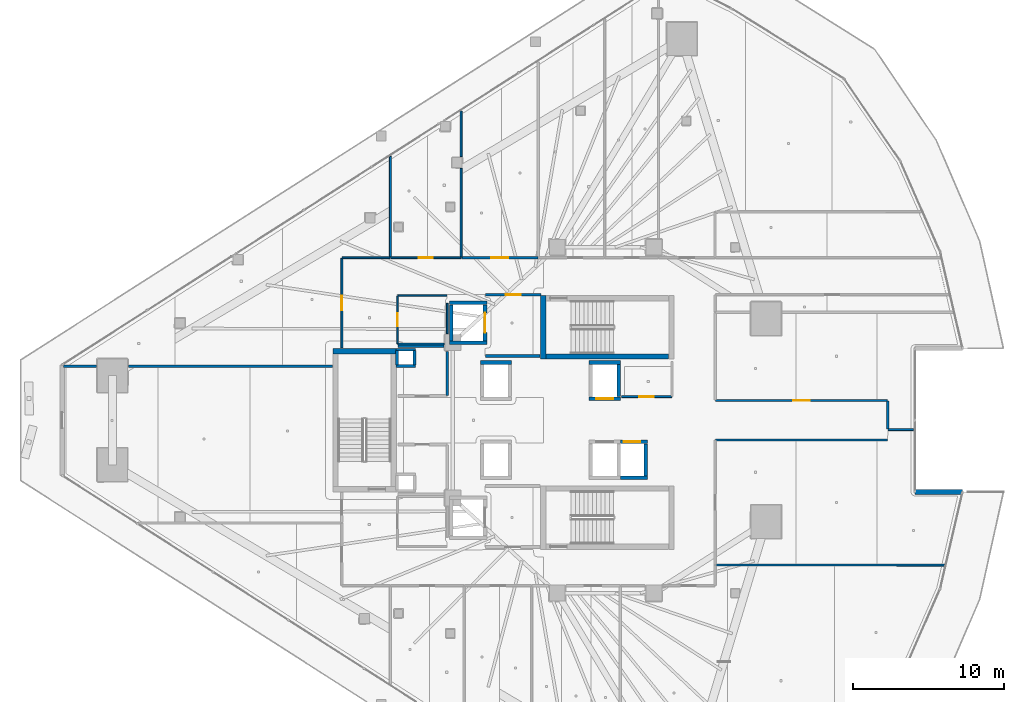
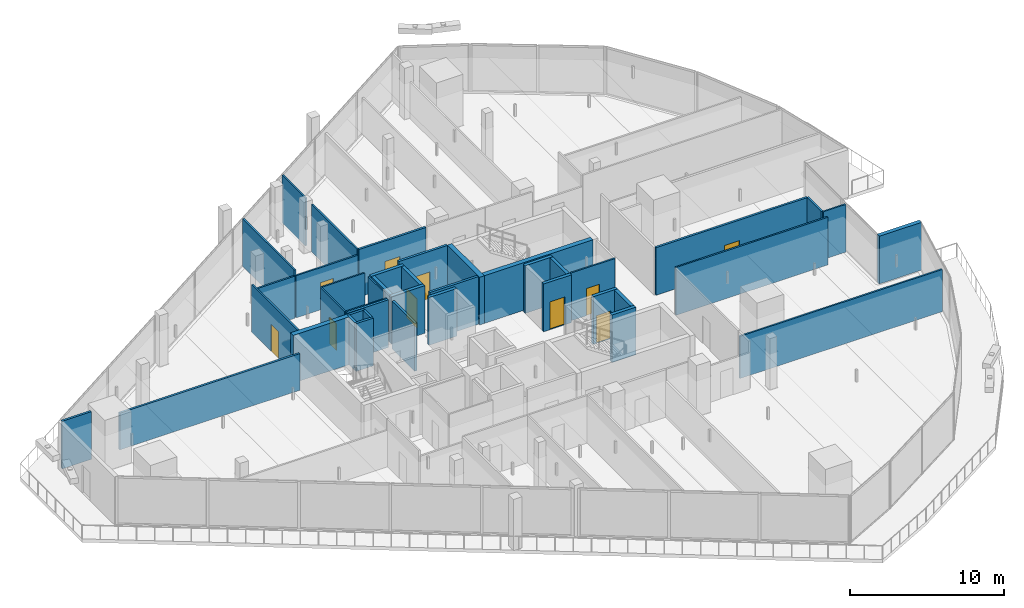
# One storey, part 27 of 39: 42 walls, 10 doors, 10 openings.
"""IFC4 building model written with IfcOpenShell, lengths in metres."""

from ifc_helpers import new_model, si_unit, direction, frame, frame_2d, origin, place, context, subcontext, project, spatial, rectangle, extrude, material, layer, layer_set, type_object, element, fill, save


model = new_model("IFC4")

# Units and contexts
model_context = context("Model", 3, precision=1e-05, world=origin(), true_north=direction((0.0, 1.0)))
body_context = subcontext(model_context, "Body", "Model", "MODEL_VIEW")
ifc_project = project(units=[si_unit("LENGTHUNIT", "METRE"), si_unit("AREAUNIT", "SQUARE_METRE"), si_unit("VOLUMEUNIT", "CUBIC_METRE"), si_unit("PLANEANGLEUNIT", "RADIAN"), si_unit("MASSUNIT", "GRAM", prefix="KILO")], contexts=[model_context])

# Site, building, storey
site_placement = place(None, origin())
site = spatial("IfcSite", under=ifc_project, at=site_placement, CompositionType="ELEMENT")
building_placement = place(site_placement, origin())
building = spatial("IfcBuilding", under=site, at=building_placement, Name="Qorvath Tower", CompositionType="ELEMENT")
storey_placement = place(building_placement, frame((0.0, 0.0, 162.449951171875)))
storey = spatial("IfcBuildingStorey", under=building, at=storey_placement, Name="L37", CompositionType="ELEMENT", Elevation=162.449951171875)

# Walls
ifc_material_1 = material(Name="Gypsum shaftliner on steel studs", Category="steel")
ifc_layer_1 = layer(ifc_material_1, 0.179931640625)
ifc_layer_set_1 = layer_set([ifc_layer_1], Name="FW-LOBBY")
wall_type_1 = type_object("IfcWallType", Name="FW-LOBBY", PredefinedType="PARTITIONING", material=ifc_layer_set_1)
for number, where, z_axis, x_axis, name in (
    (1, (-32.989990234375, 3.594970703125, 0.0), (0.0, 0.0, 1.0), (-1.0, 0.0, 0.0), "MEP Riser Shaft Enclosure Wall N-L37-S"),
    (2, (-34.260009765625, 4.675048828125, 0.0), (0.0, 0.0, 1.0), (1.0, 0.0, 0.0), "MEP Riser Shaft Enclosure Wall N-L37-N"),
):
    element("IfcWall", number, at=place(storey_placement, frame(where, z_axis=z_axis, x_axis=x_axis)), inside=storey, type_object=wall_type_1, Name=name, PredefinedType="PARTITIONING", context=body_context, shape_type="SweptSolid", body=[
        extrude(rectangle(XDim=1.27001953125, YDim=0.179931640625, at=frame_2d((0.635009765625, 0.0))), origin(), (0.0, 0.0, 1.0), 3.780029296875),
    ])
for number, where, z_axis, x_axis, name in (
    (3, (-34.205078125, 3.659912109375, 0.0), (0.0, 0.0, 1.0), (0.0, 1.0, 0.0), "MEP Riser Shaft Enclosure Wall N-L37-W"),
    (4, (-33.044921875, 4.610107421875, 0.0), (0.0, 0.0, 1.0), (0.0, -1.0, 0.0), "MEP Riser Shaft Enclosure Wall N-L37-E"),
):
    element("IfcWall", number, at=place(storey_placement, frame(where, z_axis=z_axis, x_axis=x_axis)), inside=storey, type_object=wall_type_1, Name=name, PredefinedType="PARTITIONING", context=body_context, shape_type="SweptSolid", body=[
        extrude(rectangle(XDim=0.9501953125, YDim=0.179931640625, at=frame_2d((0.47509765625, 0.0))), origin(), (0.0, 0.0, 1.0), 3.780029296875),
    ])
wall_1_placement = place(storey_placement, frame((-28.35498046875, 4.25, 0.0), z_axis=(0.0, 0.0, 1.0), x_axis=(1.0, 0.0, 0.0)))
element("IfcWall", 5, at=wall_1_placement, inside=storey, type_object=wall_type_1, Name="Interior Partition IW-T1-L37-001", PredefinedType="PARTITIONING", context=body_context, shape_type="SweptSolid", body=[
    extrude(rectangle(XDim=3.6220703125, YDim=0.179931640625, at=frame_2d((1.81103515625, 0.0))), origin(), (0.0, 0.0, 1.0), 3.780029296875),
])

# Wall, opening, door
wall_2_placement = place(storey_placement, frame((-24.68408203125, 8.300048828125, 0.0), z_axis=(0.0, 0.0, 1.0), x_axis=(-1.0, 0.0, 0.0)))
wall_2 = element("IfcWall", 6, at=wall_2_placement, inside=storey, type_object=wall_type_1, Name="Interior Partition IW-T1-L37-002", PredefinedType="PARTITIONING", context=body_context, shape_type="SweptSolid", body=[
    extrude(rectangle(XDim=3.6708984375, YDim=0.179931640625, at=frame_2d((1.83544921875, 0.0))), origin(), (0.0, 0.0, 1.0), 3.780029296875),
])
opening_1_placement = place(wall_2_placement, frame((1.33544921875, 0.0, 0.0)))
opening_1 = element("IfcOpeningElement", 7, at=opening_1_placement, cuts=wall_2, Name="Opening D-T1-L37-21", PredefinedType="OPENING", context=body_context, shape_type="SweptSolid", body=[
    extrude(rectangle(XDim=1.0, YDim=2.14990234375, at=frame_2d((0.5, 1.074951171875))), frame((0.0, 0.10009765625, 0.0), z_axis=(0.0, -1.0, 0.0), x_axis=(1.0, 0.0, 0.0)), (0.0, 0.0, 1.0), 0.199951171875),
])
ifc_material_2 = material(Name="Painted galvanised hollow metal", Category="steel")
door_type_1 = type_object("IfcDoorType", Name="FD-60", OperationType="NOTDEFINED", PredefinedType="DOOR", material=ifc_material_2)
door_1_placement = place(opening_1_placement, origin())
door_1 = element("IfcDoor", 8, at=door_1_placement, inside=storey, type_object=door_type_1, Name="Lobby Fire Service Elevator North Door D-T1-L37-21", OperationType="SINGLE_SWING_RIGHT", OverallHeight=2.14990234375, OverallWidth=1.0, PredefinedType="DOOR", context=body_context, shape_type="SweptSolid", body=[
    extrude(rectangle(XDim=1.0, YDim=2.14990234375, at=frame_2d((0.5, 1.074951171875))), frame((0.0, 0.02490234375, 0.0), z_axis=(0.0, -1.0, 0.0), x_axis=(1.0, 0.0, 0.0)), (0.0, 0.0, 1.0), 0.050048828125),
])
fill(opening_1, door_1)

# Walls
wall_3_placement = place(storey_placement, frame((-30.8798828125, 1.625, 0.0), z_axis=(0.0, 0.0, 1.0), x_axis=(0.0, 1.0, 0.0)))
element("IfcWall", 9, at=wall_3_placement, inside=storey, type_object=wall_type_1, Name="Interior Partition IW-T1-L37-016", PredefinedType="PARTITIONING", context=body_context, shape_type="SweptSolid", body=[
    extrude(rectangle(XDim=2.93505859375, YDim=0.179931640625, at=frame_2d((1.467529296875, 0.0))), origin(), (0.0, 0.0, 1.0), 3.780029296875),
])
wall_4_placement = place(storey_placement, frame((-31.090087890625, 4.89990234375, 0.0), z_axis=(0.0, 0.0, 1.0), x_axis=(-1.0, 0.0, 0.0)))
element("IfcWall", 10, at=wall_4_placement, inside=storey, type_object=wall_type_1, Name="Interior Partition IW-T1-L37-017", PredefinedType="PARTITIONING", context=body_context, shape_type="SweptSolid", body=[
    extrude(rectangle(XDim=3.064697265625, YDim=0.179931640625, at=frame_2d((1.5322265625, 0.0))), origin(), (0.0, 0.0, 1.0), 3.780029296875),
])

# Wall, opening, door
ifc_material_3 = material(Name="Double acoustic gypsum board on steel studs", Category="steel")
ifc_layer_2 = layer(ifc_material_3, 0.159912109375)
ifc_layer_set_2 = layer_set([ifc_layer_2], Name="IW-ACOUSTIC-160")
wall_type_2 = type_object("IfcWallType", Name="IW-ACOUSTIC-160", PredefinedType="PARTITIONING", material=ifc_layer_set_2)
wall_5_placement = place(storey_placement, frame((-29.92529296875, 10.758056640625, 0.0), z_axis=(0.0, 0.0, 1.0), x_axis=(1.0, 0.0, 0.0)))
wall_5 = element("IfcWall", 11, at=wall_5_placement, inside=storey, type_object=wall_type_2, Name="Interior Partition IW-T1-L37-025", PredefinedType="PARTITIONING", context=body_context, shape_type="SweptSolid", body=[
    extrude(rectangle(XDim=5.044677734375, YDim=0.159912109375, at=frame_2d((2.5224609375, 0.0))), origin(), (0.0, 0.0, 1.0), 3.780029296875),
])
opening_2_placement = place(wall_5_placement, frame((1.972412109375, 0.0, 0.0)))
opening_2 = element("IfcOpeningElement", 12, at=opening_2_placement, cuts=wall_5, Name="Opening D-T1-L37-07", PredefinedType="OPENING", context=body_context, shape_type="SweptSolid", body=[
    extrude(rectangle(XDim=1.10009765625, YDim=2.14990234375, at=frame_2d((0.550048828125, 1.074951171875))), frame((0.0, 0.08984375, 0.0), z_axis=(0.0, -1.0, 0.0), x_axis=(1.0, 0.0, 0.0)), (0.0, 0.0, 1.0), 0.179931640625),
])
ifc_material_4 = material(Name="Anodised aluminium acoustic framed glass", Category="aluminium")
door_type_2 = type_object("IfcDoorType", Name="D-03", OperationType="NOTDEFINED", PredefinedType="DOOR", material=ifc_material_4)
door_2_placement = place(opening_2_placement, origin())
door_2 = element("IfcDoor", 13, at=door_2_placement, inside=storey, type_object=door_type_2, Name="L37-02 Client Services Office Door D-T1-L37-07", OperationType="SINGLE_SWING_RIGHT", OverallHeight=2.14990234375, OverallWidth=1.10009765625, PredefinedType="DOOR", context=body_context, shape_type="SweptSolid", body=[
    extrude(rectangle(XDim=1.10009765625, YDim=2.14990234375, at=frame_2d((0.550048828125, 1.074951171875))), frame((0.0, 0.02490234375, 0.0), z_axis=(0.0, -1.0, 0.0), x_axis=(1.0, 0.0, 0.0)), (0.0, 0.0, 1.0), 0.050048828125),
])
fill(opening_2, door_2)

wall_6_placement = place(storey_placement, frame((-13.1171875, 1.30810546875, 0.0), z_axis=(0.0, 0.0, 1.0), x_axis=(1.0, 0.0, 0.0)))
wall_6 = element("IfcWall", 14, at=wall_6_placement, inside=storey, type_object=wall_type_2, Name="Interior Partition IW-T1-L37-053", PredefinedType="PARTITIONING", context=body_context, shape_type="SweptSolid", body=[
    extrude(rectangle(XDim=11.378173828125, YDim=0.159912109375, at=frame_2d((5.68896484375, 0.0))), origin(), (0.0, 0.0, 1.0), 3.780029296875),
])
opening_3_placement = place(wall_6_placement, frame((5.13916015625, 0.0, 0.0)))
opening_3 = element("IfcOpeningElement", 15, at=opening_3_placement, cuts=wall_6, Name="Opening D-T1-L37-16", PredefinedType="OPENING", context=body_context, shape_type="SweptSolid", body=[
    extrude(rectangle(XDim=1.10009765625, YDim=2.14990234375, at=frame_2d((0.550048828125, 1.074951171875))), frame((0.0, 0.08984375, 0.0), z_axis=(0.0, -1.0, 0.0), x_axis=(1.0, 0.0, 0.0)), (0.0, 0.0, 1.0), 0.179931640625),
])
door_3_placement = place(opening_3_placement, origin())
door_3 = element("IfcDoor", 16, at=door_3_placement, inside=storey, type_object=door_type_2, Name="L37-11 Enclosed Conference Suite Door D-T1-L37-16", OperationType="SINGLE_SWING_LEFT", OverallHeight=2.14990234375, OverallWidth=1.10009765625, PredefinedType="DOOR", context=body_context, shape_type="SweptSolid", body=[
    extrude(rectangle(XDim=1.10009765625, YDim=2.14990234375, at=frame_2d((0.550048828125, 1.074951171875))), frame((0.0, 0.02490234375, 0.0), z_axis=(0.0, -1.0, 0.0), x_axis=(1.0, 0.0, 0.0)), (0.0, 0.0, 1.0), 0.050048828125),
])
fill(opening_3, door_3)

# Walls
wall_7_placement = place(storey_placement, frame((-1.714111328125, -0.591796875, 0.0), z_axis=(0.0, 0.0, 1.0), x_axis=(0.0, 1.0, 0.0)))
element("IfcWall", 17, at=wall_7_placement, inside=storey, type_object=wall_type_2, Name="Interior Partition IW-T1-L37-054", PredefinedType="PARTITIONING", context=body_context, shape_type="SweptSolid", body=[
    extrude(rectangle(XDim=1.875, YDim=0.159912109375, at=frame_2d((0.9375, 0.0))), origin(), (0.0, 0.0, 1.0), 3.780029296875),
])
wall_8_placement = place(storey_placement, frame((-38.492919921875, 3.567626953125, 0.0), z_axis=(0.0, 0.0, 1.0), x_axis=(-1.0, 0.0, 0.0)))
element("IfcWall", 18, at=wall_8_placement, inside=storey, type_object=wall_type_2, Name="Interior Partition IW-T1-L37-062", PredefinedType="PARTITIONING", context=body_context, shape_type="SweptSolid", body=[
    extrude(rectangle(XDim=13.491455078125, YDim=0.159912109375, at=frame_2d((6.74560546875, 0.0))), origin(), (0.0, 0.0, 1.0), 2.89990234375),
])
wall_9_placement = place(storey_placement, frame((-54.114501953125, 3.567626953125, 0.0), z_axis=(0.0, 0.0, 1.0), x_axis=(-1.0, 0.0, 0.0)))
element("IfcWall", 19, at=wall_9_placement, inside=storey, type_object=wall_type_2, Name="Interior Partition IW-T1-L37-063", PredefinedType="PARTITIONING", context=body_context, shape_type="SweptSolid", body=[
    extrude(rectangle(XDim=2.18798828125, YDim=0.159912109375, at=frame_2d((1.093994140625, 0.0))), origin(), (0.0, 0.0, 1.0), 3.780029296875),
])

# Wall, opening, door
ifc_material_5 = material(Name="Gypsum board on metal studs with mineral wool", Category="gypsum")
ifc_layer_3 = layer(ifc_material_5, 0.125)
ifc_layer_set_3 = layer_set([ifc_layer_3], Name="IW-PART-125")
wall_type_3 = type_object("IfcWallType", Name="IW-PART-125", PredefinedType="PARTITIONING", material=ifc_layer_set_3)
wall_10_placement = place(storey_placement, frame((-19.333740234375, 1.56005859375, 0.0), z_axis=(0.0, 0.0, 1.0), x_axis=(1.0, 0.0, 0.0)))
wall_10 = element("IfcWall", 20, at=wall_10_placement, inside=storey, type_object=wall_type_3, Name="Interior Partition IW-T1-L37-013", PredefinedType="PARTITIONING", context=body_context, shape_type="SweptSolid", body=[
    extrude(rectangle(XDim=3.308837890625, YDim=0.125, at=frame_2d((1.654296875, 0.0))), origin(), (0.0, 0.0, 1.0), 3.780029296875),
])
opening_4_placement = place(wall_10_placement, frame((1.179443359375, 0.0, 0.0)))
opening_4 = element("IfcOpeningElement", 21, at=opening_4_placement, cuts=wall_10, Name="Opening D-T1-L37-03", PredefinedType="OPENING", context=body_context, shape_type="SweptSolid", body=[
    extrude(rectangle(XDim=0.949951171875, YDim=2.14990234375, at=frame_2d((0.47509765625, 1.074951171875))), frame((0.0, 0.072509765625, 0.0), z_axis=(0.0, -1.0, 0.0), x_axis=(1.0, 0.0, 0.0)), (0.0, 0.0, 1.0), 0.14501953125),
])
ifc_material_6 = material(Name="Solid-core American white oak veneer", Category="wood")
door_type_3 = type_object("IfcDoorType", Name="D-01", OperationType="NOTDEFINED", PredefinedType="DOOR", material=ifc_material_6)
door_4_placement = place(opening_4_placement, origin())
door_4 = element("IfcDoor", 22, at=door_4_placement, inside=storey, type_object=door_type_3, Name="L37-RCN North Staff Refreshment Pantry Door D-T1-L37-03", OperationType="SINGLE_SWING_RIGHT", OverallHeight=2.14990234375, OverallWidth=0.949951171875, PredefinedType="DOOR", context=body_context, shape_type="SweptSolid", body=[
    extrude(rectangle(XDim=0.949951171875, YDim=2.14990234375, at=frame_2d((0.47509765625, 1.074951171875))), frame((0.0, 0.02490234375, 0.0), z_axis=(0.0, -1.0, 0.0), x_axis=(1.0, 0.0, 0.0)), (0.0, 0.0, 1.0), 0.050048828125),
])
fill(opening_4, door_4)

# Wall
wall_11_placement = place(storey_placement, frame((-34.64990234375, 17.476806640625, 0.0), z_axis=(0.0, 0.0, 1.0), x_axis=(0.0, -1.0, 0.0)))
element("IfcWall", 23, at=wall_11_placement, inside=storey, type_object=wall_type_3, Name="Interior Partition IW-T1-L37-021", PredefinedType="PARTITIONING", context=body_context, shape_type="SweptSolid", body=[
    extrude(rectangle(XDim=6.693603515625, YDim=0.125, at=frame_2d((3.3466796875, 0.0))), origin(), (0.0, 0.0, 1.0), 3.780029296875),
])

# Wall, opening, door
wall_12_placement = place(storey_placement, frame((-34.625, 10.758056640625, 0.0), z_axis=(0.0, 0.0, 1.0), x_axis=(1.0, 0.0, 0.0)))
wall_12 = element("IfcWall", 24, at=wall_12_placement, inside=storey, type_object=wall_type_3, Name="Interior Partition IW-T1-L37-022", PredefinedType="PARTITIONING", context=body_context, shape_type="SweptSolid", body=[
    extrude(rectangle(XDim=4.6416015625, YDim=0.125, at=frame_2d((2.32080078125, 0.0))), origin(), (0.0, 0.0, 1.0), 3.34423828125),
])
opening_5_placement = place(wall_12_placement, frame((1.845703125, 0.0, 0.0)))
opening_5 = element("IfcOpeningElement", 25, at=opening_5_placement, cuts=wall_12, Name="Opening D-T1-L37-06", PredefinedType="OPENING", context=body_context, shape_type="SweptSolid", body=[
    extrude(rectangle(XDim=0.949951171875, YDim=2.14990234375, at=frame_2d((0.47509765625, 1.074951171875))), frame((0.0, 0.072509765625, 0.0), z_axis=(0.0, -1.0, 0.0), x_axis=(1.0, 0.0, 0.0)), (0.0, 0.0, 1.0), 0.14501953125),
])
door_5_placement = place(opening_5_placement, origin())
door_5 = element("IfcDoor", 26, at=door_5_placement, inside=storey, type_object=door_type_3, Name="L37-01 Staff Refreshment Pantry and Coffee Bar Door D-T1-L37-06", OperationType="SINGLE_SWING_LEFT", OverallHeight=2.14990234375, OverallWidth=0.949951171875, PredefinedType="DOOR", context=body_context, shape_type="SweptSolid", body=[
    extrude(rectangle(XDim=0.949951171875, YDim=2.14990234375, at=frame_2d((0.47509765625, 1.074951171875))), frame((0.0, 0.02490234375, 0.0), z_axis=(0.0, -1.0, 0.0), x_axis=(1.0, 0.0, 0.0)), (0.0, 0.0, 1.0), 0.050048828125),
])
fill(opening_5, door_5)

# Walls
wall_13_placement = place(storey_placement, frame((-29.958251953125, 10.783203125, 0.0), z_axis=(0.0, 0.0, 1.0), x_axis=(0.0, 1.0, 0.0)))
element("IfcWall", 27, at=wall_13_placement, inside=storey, type_object=wall_type_3, Name="Interior Partition IW-T1-L37-023", PredefinedType="PARTITIONING", context=body_context, shape_type="SweptSolid", body=[
    extrude(rectangle(XDim=5.886474609375, YDim=0.125, at=frame_2d((2.943359375, 0.0))), origin(), (0.0, 0.0, 1.0), 3.780029296875),
])
wall_14_placement = place(storey_placement, frame((-29.958251953125, 17.44970703125, 0.0), z_axis=(0.0, 0.0, 1.0), x_axis=(0.0, 1.0, 0.0)))
element("IfcWall", 28, at=wall_14_placement, inside=storey, type_object=wall_type_3, Name="Interior Partition IW-T1-L37-024", PredefinedType="PARTITIONING", context=body_context, shape_type="SweptSolid", body=[
    extrude(rectangle(XDim=3.025634765625, YDim=0.125, at=frame_2d((1.5126953125, 0.0))), origin(), (0.0, 0.0, 1.0), 3.780029296875),
])
wall_15_placement = place(storey_placement, frame((2.044677734375, -9.5908203125, 0.0), z_axis=(0.0, 0.0, 1.0), x_axis=(-0.999999957996, 0.000289841058, 0.0)))
element("IfcWall", 29, at=wall_15_placement, inside=storey, type_object=wall_type_3, Name="Interior Partition IW-T1-L37-043", PredefinedType="PARTITIONING", context=body_context, shape_type="SweptSolid", body=[
    extrude(rectangle(XDim=15.161865234375, YDim=0.125, at=frame_2d((7.5810546875, 0.0))), origin(), (0.0, 0.0, 1.0), 3.34423828125),
])
wall_16_placement = place(storey_placement, frame((-0.001953125, -0.624755859375, 0.0), z_axis=(0.0, 0.0, 1.0), x_axis=(-1.0, 0.0, 0.0)))
element("IfcWall", 30, at=wall_16_placement, inside=storey, type_object=wall_type_3, Name="Interior Partition IW-T1-L37-047", PredefinedType="PARTITIONING", context=body_context, shape_type="SweptSolid", body=[
    extrude(rectangle(XDim=1.687255859375, YDim=0.125, at=frame_2d((0.84375, 0.0))), origin(), (0.0, 0.0, 1.0), 3.780029296875),
])
wall_17_placement = place(storey_placement, frame((-1.739013671875, -1.30810546875, 0.0), z_axis=(0.0, 0.0, 1.0), x_axis=(-1.0, 0.0, 0.0)))
element("IfcWall", 31, at=wall_17_placement, inside=storey, type_object=wall_type_3, Name="Interior Partition IW-T1-L37-048", PredefinedType="PARTITIONING", context=body_context, shape_type="SweptSolid", body=[
    extrude(rectangle(XDim=11.378173828125, YDim=0.125, at=frame_2d((5.68896484375, 0.0))), origin(), (0.0, 0.0, 1.0), 3.780029296875),
])

# Wall, opening, door
wall_18_placement = place(storey_placement, frame((-37.85791015625, 4.783203125, 0.0), z_axis=(0.0, 0.0, 1.0), x_axis=(0.0, 1.0, 0.0)))
wall_18 = element("IfcWall", 32, at=wall_18_placement, inside=storey, type_object=wall_type_3, Name="Interior Partition IW-T1-L37-064", PredefinedType="PARTITIONING", context=body_context, shape_type="SweptSolid", body=[
    extrude(rectangle(XDim=5.949951171875, YDim=0.125, at=frame_2d((2.97509765625, 0.0))), origin(), (0.0, 0.0, 1.0), 3.780029296875),
])
opening_6_placement = place(wall_18_placement, frame((2.5, 0.0, 0.0)))
opening_6 = element("IfcOpeningElement", 33, at=opening_6_placement, cuts=wall_18, Name="Opening D-T1-L37-20", PredefinedType="OPENING", context=body_context, shape_type="SweptSolid", body=[
    extrude(rectangle(XDim=0.949951171875, YDim=2.14990234375, at=frame_2d((0.47509765625, 1.074951171875))), frame((0.0, 0.072509765625, 0.0), z_axis=(0.0, -1.0, 0.0), x_axis=(1.0, 0.0, 0.0)), (0.0, 0.0, 1.0), 0.14501953125),
])
door_6_placement = place(opening_6_placement, origin())
door_6 = element("IfcDoor", 34, at=door_6_placement, inside=storey, type_object=door_type_3, Name="L37-15 Design Pin-Up Atelier Door D-T1-L37-20", OperationType="SINGLE_SWING_LEFT", OverallHeight=2.14990234375, OverallWidth=0.949951171875, PredefinedType="DOOR", context=body_context, shape_type="SweptSolid", body=[
    extrude(rectangle(XDim=0.949951171875, YDim=2.14990234375, at=frame_2d((0.47509765625, 1.074951171875))), frame((0.0, 0.02490234375, 0.0), z_axis=(0.0, -1.0, 0.0), x_axis=(1.0, 0.0, 0.0)), (0.0, 0.0, 1.0), 0.050048828125),
])
fill(opening_6, door_6)

# Wall
wall_19_placement = place(storey_placement, frame((-34.68310546875, 10.758056640625, 0.0), z_axis=(0.0, 0.0, 1.0), x_axis=(-1.0, 0.0, 0.0)))
element("IfcWall", 35, at=wall_19_placement, inside=storey, type_object=wall_type_3, Name="Interior Partition IW-T1-L37-065", PredefinedType="PARTITIONING", context=body_context, shape_type="SweptSolid", body=[
    extrude(rectangle(XDim=3.14990234375, YDim=0.125, at=frame_2d((1.574951171875, 0.0))), origin(), (0.0, 0.0, 1.0), 3.34423828125),
])

# Wall, opening, door
ifc_material_7 = material(Name="Moisture-resistant cement board on metal studs", Category="gypsum")
ifc_layer_4 = layer(ifc_material_7, 0.110107421875)
ifc_layer_set_4 = layer_set([ifc_layer_4], Name="IW-WC-110")
wall_type_4 = type_object("IfcWallType", Name="IW-WC-110", PredefinedType="PARTITIONING", material=ifc_layer_set_4)
wall_20_placement = place(storey_placement, frame((-34.179931640625, 8.22509765625, 0.0), z_axis=(0.0, 0.0, 1.0), x_axis=(0.0, -1.0, 0.0)))
wall_20 = element("IfcWall", 36, at=wall_20_placement, inside=storey, type_object=wall_type_4, Name="Interior Partition IW-T1-L37-005", PredefinedType="PARTITIONING", context=body_context, shape_type="SweptSolid", body=[
    extrude(rectangle(XDim=3.150146484375, YDim=0.110107421875, at=frame_2d((1.5751953125, 0.0))), origin(), (0.0, 0.0, 1.0), 3.780029296875),
])
opening_7_placement = place(wall_20_placement, frame((1.135009765625, 0.0, 0.0)))
opening_7 = element("IfcOpeningElement", 37, at=opening_7_placement, cuts=wall_20, Name="Opening D-T1-L37-01", PredefinedType="OPENING", context=body_context, shape_type="SweptSolid", body=[
    extrude(rectangle(XDim=0.8798828125, YDim=2.10009765625, at=frame_2d((0.43994140625, 1.050048828125))), frame((0.0, 0.06494140625, 0.0), z_axis=(0.0, -1.0, 0.0), x_axis=(1.0, 0.0, 0.0)), (0.0, 0.0, 1.0), 0.130126953125),
])
ifc_material_8 = material(Name="Solid-core oak with acoustic drop seal", Category="wood")
door_type_4 = type_object("IfcDoorType", Name="D-02", OperationType="NOTDEFINED", PredefinedType="DOOR", material=ifc_material_8)
door_7_placement = place(opening_7_placement, origin())
door_7 = element("IfcDoor", 38, at=door_7_placement, inside=storey, type_object=door_type_4, Name="WC All-Gender North L37 Door D-T1-L37-01", OperationType="SINGLE_SWING_RIGHT", OverallHeight=2.10009765625, OverallWidth=0.8798828125, PredefinedType="DOOR", context=body_context, shape_type="SweptSolid", body=[
    extrude(rectangle(XDim=0.8798828125, YDim=2.10009765625, at=frame_2d((0.43994140625, 1.050048828125))), frame((0.0, 0.02490234375, 0.0), z_axis=(0.0, -1.0, 0.0), x_axis=(1.0, 0.0, 0.0)), (0.0, 0.0, 1.0), 0.050048828125),
])
fill(opening_7, door_7)

# Walls
wall_21_placement = place(storey_placement, frame((-34.15478515625, 5.050048828125, 0.0), z_axis=(0.0, 0.0, 1.0), x_axis=(1.0, 0.0, 0.0)))
element("IfcWall", 39, at=wall_21_placement, inside=storey, type_object=wall_type_4, Name="Interior Partition IW-T1-L37-006", PredefinedType="PARTITIONING", context=body_context, shape_type="SweptSolid", body=[
    extrude(rectangle(XDim=3.064697265625, YDim=0.110107421875, at=frame_2d((1.5322265625, 0.0))), origin(), (0.0, 0.0, 1.0), 3.780029296875),
])
wall_22_placement = place(storey_placement, frame((-30.8798828125, 5.739990234375, 0.0), z_axis=(0.0, 0.0, 1.0), x_axis=(0.0, 1.0, 0.0)))
element("IfcWall", 40, at=wall_22_placement, inside=storey, type_object=wall_type_4, Name="Interior Partition IW-T1-L37-007", PredefinedType="PARTITIONING", context=body_context, shape_type="SweptSolid", body=[
    extrude(rectangle(XDim=2.0029296875, YDim=0.110107421875, at=frame_2d((1.00146484375, 0.0))), origin(), (0.0, 0.0, 1.0), 3.780029296875),
])
wall_23_placement = place(storey_placement, frame((-30.90478515625, 8.25, 0.0), z_axis=(0.0, 0.0, 1.0), x_axis=(-1.0, 0.0, 0.0)))
element("IfcWall", 41, at=wall_23_placement, inside=storey, type_object=wall_type_4, Name="Interior Partition IW-T1-L37-008", PredefinedType="PARTITIONING", context=body_context, shape_type="SweptSolid", body=[
    extrude(rectangle(XDim=3.25, YDim=0.110107421875, at=frame_2d((1.625, 0.0))), origin(), (0.0, 0.0, 1.0), 3.780029296875),
])
ifc_material_9 = material(Name="Concrete C60/75", Category="concrete")
ifc_layer_5 = layer(ifc_material_9, 0.260009765625)
ifc_layer_set_5 = layer_set([ifc_layer_5], Name="SW-SHAFT")
wall_type_5 = type_object("IfcWallType", Name="SW-SHAFT", PredefinedType="SHEAR", material=ifc_layer_set_5)
for number, where, z_axis, x_axis, name in (
    (42, (-28.260009765625, 5.1298828125, 0.0), (0.0, 0.0, 1.0), (-1.0, 0.0, 0.0), "Hoistway Wall FSAE-1 L37 S"),
    (43, (-30.739990234375, 7.77001953125, 0.0), (0.0, 0.0, 1.0), (1.0, 0.0, 0.0), "Hoistway Wall FSAE-1 L37 N"),
):
    element("IfcWall", number, at=place(storey_placement, frame(where, z_axis=z_axis, x_axis=x_axis)), inside=storey, type_object=wall_type_5, Name=name, PredefinedType="SHEAR", context=body_context, shape_type="SweptSolid", body=[
        extrude(rectangle(XDim=2.47998046875, YDim=0.239990234375, at=frame_2d((1.239990234375, 0.0))), origin(), (0.0, 0.0, 1.0), 3.780029296875),
    ])
wall_24_placement = place(storey_placement, frame((-30.6201171875, 5.261962890625, 0.0), z_axis=(0.0, 0.0, 1.0), x_axis=(0.0, 1.0, 0.0)))
element("IfcWall", 44, at=wall_24_placement, inside=storey, type_object=wall_type_5, Name="Hoistway Wall FSAE-1 L37 W", PredefinedType="SHEAR", context=body_context, shape_type="SweptSolid", body=[
    extrude(rectangle(XDim=2.3759765625, YDim=0.239990234375, at=frame_2d((1.18798828125, 0.0))), origin(), (0.0, 0.0, 1.0), 3.780029296875),
])

# Wall, opening, door
wall_25_placement = place(storey_placement, frame((-28.3798828125, 7.637939453125, 0.0), z_axis=(0.0, 0.0, 1.0), x_axis=(0.0, -1.0, 0.0)))
wall_25 = element("IfcWall", 45, at=wall_25_placement, inside=storey, type_object=wall_type_5, Name="Hoistway Wall FSAE-1 L37 E", PredefinedType="SHEAR", context=body_context, shape_type="SweptSolid", body=[
    extrude(rectangle(XDim=2.3759765625, YDim=0.239990234375, at=frame_2d((1.18798828125, 0.0))), origin(), (0.0, 0.0, 1.0), 3.780029296875),
])
opening_8_placement = place(wall_25_placement, frame((0.537841796875, 0.0, 0.0)))
opening_8 = element("IfcOpeningElement", 46, at=opening_8_placement, cuts=wall_25, Name="Opening LD-FSAE-1-L37", PredefinedType="OPENING", context=body_context, shape_type="SweptSolid", body=[
    extrude(rectangle(XDim=1.300048828125, YDim=2.300048828125, at=frame_2d((0.64990234375, 1.14990234375))), frame((0.0, 0.1298828125, 0.0), z_axis=(0.0, -1.0, 0.0), x_axis=(1.0, 0.0, 0.0)), (0.0, 0.0, 1.0), 0.260009765625),
])
ifc_material_10 = material(Name="Brushed stainless steel AISI 316", Category="steel")
door_type_5 = type_object("IfcDoorType", Name="LD-02", OperationType="NOTDEFINED", PredefinedType="DOOR", material=ifc_material_10)
door_8_placement = place(opening_8_placement, origin())
door_8 = element("IfcDoor", 47, at=door_8_placement, inside=storey, type_object=door_type_5, Name="Elevator Landing Sliding Door LD-FSAE-1-L37", OperationType="DOUBLE_DOOR_SLIDING", OverallHeight=2.300048828125, OverallWidth=1.300048828125, PredefinedType="DOOR", context=body_context, shape_type="SweptSolid", body=[
    extrude(rectangle(XDim=1.300048828125, YDim=2.300048828125, at=frame_2d((0.64990234375, 1.14990234375))), frame((0.0, 0.02490234375, 0.0), z_axis=(0.0, -1.0, 0.0), x_axis=(1.0, 0.0, 0.0)), (0.0, 0.0, 1.0), 0.050048828125),
])
fill(opening_8, door_8)

# Wall
wall_26_placement = place(storey_placement, frame((-28.68994140625, 3.820068359375, 0.0), z_axis=(0.0, 0.0, 1.0), x_axis=(1.0, 0.0, 0.0)))
element("IfcWall", 48, at=wall_26_placement, inside=storey, type_object=wall_type_5, Name="Hoistway Wall PS-1 L37 N", PredefinedType="SHEAR", context=body_context, shape_type="SweptSolid", body=[
    extrude(rectangle(XDim=2.079833984375, YDim=0.239990234375, at=frame_2d((1.0400390625, 0.0))), origin(), (0.0, 0.0, 1.0), 3.780029296875),
])

# Wall, opening, door
wall_27_placement = place(storey_placement, frame((-19.409912109375, 1.429931640625, 0.0), z_axis=(0.0, 0.0, 1.0), x_axis=(-1.0, 0.0, 0.0)))
wall_27 = element("IfcWall", 49, at=wall_27_placement, inside=storey, type_object=wall_type_5, Name="Hoistway Wall PM-1 L37 S", PredefinedType="SHEAR", context=body_context, shape_type="SweptSolid", body=[
    extrude(rectangle(XDim=2.080078125, YDim=0.239990234375, at=frame_2d((1.0400390625, 0.0))), origin(), (0.0, 0.0, 1.0), 3.780029296875),
])
opening_9_placement = place(wall_27_placement, frame((0.489990234375, 0.0, 0.0)))
opening_9 = element("IfcOpeningElement", 50, at=opening_9_placement, cuts=wall_27, Name="Opening LD-PM-1-L37", PredefinedType="OPENING", context=body_context, shape_type="SweptSolid", body=[
    extrude(rectangle(XDim=1.10009765625, YDim=2.199951171875, at=frame_2d((0.550048828125, 1.10009765625))), frame((0.0, 0.1298828125, 0.0), z_axis=(0.0, -1.0, 0.0), x_axis=(1.0, 0.0, 0.0)), (0.0, 0.0, 1.0), 0.260009765625),
])
ifc_material_11 = material(Name="Brushed stainless steel AISI 316", Category="steel")
door_type_6 = type_object("IfcDoorType", Name="LD-01", OperationType="NOTDEFINED", PredefinedType="DOOR", material=ifc_material_11)
door_9_placement = place(opening_9_placement, origin())
door_9 = element("IfcDoor", 51, at=door_9_placement, inside=storey, type_object=door_type_6, Name="Elevator Landing Sliding Door LD-PM-1-L37", OperationType="DOUBLE_DOOR_SLIDING", OverallHeight=2.199951171875, OverallWidth=1.10009765625, PredefinedType="DOOR", context=body_context, shape_type="SweptSolid", body=[
    extrude(rectangle(XDim=1.10009765625, YDim=2.199951171875, at=frame_2d((0.550048828125, 1.10009765625))), frame((0.0, 0.02490234375, 0.0), z_axis=(0.0, -1.0, 0.0), x_axis=(1.0, 0.0, 0.0)), (0.0, 0.0, 1.0), 0.050048828125),
])
fill(opening_9, door_9)

# Walls
wall_28_placement = place(storey_placement, frame((-21.489990234375, 3.820068359375, 0.0), z_axis=(0.0, 0.0, 1.0), x_axis=(1.0, 0.0, 0.0)))
element("IfcWall", 52, at=wall_28_placement, inside=storey, type_object=wall_type_5, Name="Hoistway Wall PM-1 L37 N", PredefinedType="SHEAR", context=body_context, shape_type="SweptSolid", body=[
    extrude(rectangle(XDim=2.080078125, YDim=0.239990234375, at=frame_2d((1.0400390625, 0.0))), origin(), (0.0, 0.0, 1.0), 3.780029296875),
])
wall_29_placement = place(storey_placement, frame((-19.530029296875, 3.68798828125, 0.0), z_axis=(0.0, 0.0, 1.0), x_axis=(0.0, -1.0, 0.0)))
element("IfcWall", 53, at=wall_29_placement, inside=storey, type_object=wall_type_5, Name="Hoistway Wall PM-1 L37 E", PredefinedType="SHEAR", context=body_context, shape_type="SweptSolid", body=[
    extrude(rectangle(XDim=2.1259765625, YDim=0.239990234375, at=frame_2d((1.06298828125, 0.0))), origin(), (0.0, 0.0, 1.0), 3.780029296875),
])
wall_30_placement = place(storey_placement, frame((-17.610107421875, -3.820068359375, 0.0), z_axis=(0.0, 0.0, 1.0), x_axis=(-1.0, 0.0, 0.0)))
element("IfcWall", 54, at=wall_30_placement, inside=storey, type_object=wall_type_5, Name="Hoistway Wall PM-3 L37 S", PredefinedType="SHEAR", context=body_context, shape_type="SweptSolid", body=[
    extrude(rectangle(XDim=1.7998046875, YDim=0.239990234375, at=frame_2d((0.89990234375, 0.0))), origin(), (0.0, 0.0, 1.0), 3.780029296875),
])

# Wall, opening, door
wall_31_placement = place(storey_placement, frame((-19.409912109375, -1.429931640625, 0.0), z_axis=(0.0, 0.0, 1.0), x_axis=(1.0, 0.0, 0.0)))
wall_31 = element("IfcWall", 55, at=wall_31_placement, inside=storey, type_object=wall_type_5, Name="Hoistway Wall PM-3 L37 N", PredefinedType="SHEAR", context=body_context, shape_type="SweptSolid", body=[
    extrude(rectangle(XDim=1.7998046875, YDim=0.239990234375, at=frame_2d((0.89990234375, 0.0))), origin(), (0.0, 0.0, 1.0), 3.780029296875),
])
opening_10_placement = place(wall_31_placement, frame((0.2099609375, 0.0, 0.0)))
opening_10 = element("IfcOpeningElement", 56, at=opening_10_placement, cuts=wall_31, Name="Opening LD-PM-3-L37", PredefinedType="OPENING", context=body_context, shape_type="SweptSolid", body=[
    extrude(rectangle(XDim=1.10009765625, YDim=2.199951171875, at=frame_2d((0.550048828125, 1.10009765625))), frame((0.0, 0.1298828125, 0.0), z_axis=(0.0, -1.0, 0.0), x_axis=(1.0, 0.0, 0.0)), (0.0, 0.0, 1.0), 0.260009765625),
])
door_10_placement = place(opening_10_placement, origin())
door_10 = element("IfcDoor", 57, at=door_10_placement, inside=storey, type_object=door_type_6, Name="Elevator Landing Sliding Door LD-PM-3-L37", OperationType="DOUBLE_DOOR_SLIDING", OverallHeight=2.199951171875, OverallWidth=1.10009765625, PredefinedType="DOOR", context=body_context, shape_type="SweptSolid", body=[
    extrude(rectangle(XDim=1.10009765625, YDim=2.199951171875, at=frame_2d((0.550048828125, 1.10009765625))), frame((0.0, 0.02490234375, 0.0), z_axis=(0.0, -1.0, 0.0), x_axis=(1.0, 0.0, 0.0)), (0.0, 0.0, 1.0), 0.050048828125),
])
fill(opening_10, door_10)

# Walls
wall_32_placement = place(storey_placement, frame((-17.72998046875, -1.56201171875, 0.0), z_axis=(0.0, 0.0, 1.0), x_axis=(0.0, -1.0, 0.0)))
element("IfcWall", 58, at=wall_32_placement, inside=storey, type_object=wall_type_5, Name="Hoistway Wall PM-3 L37 E", PredefinedType="SHEAR", context=body_context, shape_type="SweptSolid", body=[
    extrude(rectangle(XDim=2.1259765625, YDim=0.239990234375, at=frame_2d((1.06298828125, 0.0))), origin(), (0.0, 0.0, 1.0), 3.780029296875),
])
ifc_material_12 = material(Name="Concrete C60/75", Category="concrete")
ifc_layer_6 = layer(ifc_material_12, 0.35009765625)
ifc_layer_set_6 = layer_set([ifc_layer_6], Name="SW-STAIR")
wall_type_6 = type_object("IfcWallType", Name="SW-STAIR", PredefinedType="SHEAR", material=ifc_layer_set_6)
wall_33_placement = place(storey_placement, frame((-24.52490234375, 8.260009765625, 0.0), z_axis=(0.0, 0.0, 1.0), x_axis=(0.0, -1.0, 0.0)))
element("IfcWall", 59, at=wall_33_placement, inside=storey, type_object=wall_type_6, Name="Stair TS1 Shear Wall L37 NEAR", PredefinedType="SHEAR", context=body_context, shape_type="SweptSolid", body=[
    extrude(rectangle(XDim=4.2099609375, YDim=0.35009765625, at=frame_2d((2.10498046875, 0.0))), origin(), (0.0, 0.0, 1.0), 3.780029296875),
])
wall_34_placement = place(storey_placement, frame((-24.3349609375, 4.22509765625, 0.0), z_axis=(0.0, 0.0, 1.0), x_axis=(1.0, 0.0, 0.0)))
element("IfcWall", 60, at=wall_34_placement, inside=storey, type_object=wall_type_6, Name="Stair TS1 Shear Wall L37 LEFT", PredefinedType="SHEAR", context=body_context, shape_type="SweptSolid", body=[
    extrude(rectangle(XDim=8.119873046875, YDim=0.35009765625, at=frame_2d((4.06005859375, 0.0))), origin(), (0.0, 0.0, 1.0), 3.780029296875),
])
wall_35_placement = place(storey_placement, frame((-34.25, 4.574951171875, 0.0), z_axis=(0.0, 0.0, 1.0), x_axis=(-1.0, 0.0, 0.0)))
element("IfcWall", 61, at=wall_35_placement, inside=storey, type_object=wall_type_6, Name="Stair TS3 Shear Wall L37 FAR", PredefinedType="SHEAR", context=body_context, shape_type="SweptSolid", body=[
    extrude(rectangle(XDim=4.2099609375, YDim=0.35009765625, at=frame_2d((2.10498046875, 0.0))), origin(), (0.0, 0.0, 1.0), 3.780029296875),
])
ifc_material_13 = material(Name="Precast concrete C45/55", Category="concrete")
ifc_layer_7 = layer(ifc_material_13, 0.300048828125)
ifc_layer_set_7 = layer_set([ifc_layer_7], Name="WL-EW-LOG-300")
wall_type_7 = type_object("IfcWallType", Name="WL-EW-LOG-300", PredefinedType="SOLIDWALL", material=ifc_layer_set_7)
wall_36_placement = place(storey_placement, frame((3.24609375, -4.751953125, 0.0), z_axis=(0.0, 0.0, 1.0), x_axis=(-1.0, 0.0, 0.0)))
element("IfcWall", 62, at=wall_36_placement, inside=storey, type_object=wall_type_7, Name="Tower Precast Loggia Wall L37-8.1", PredefinedType="SOLIDWALL", context=body_context, shape_type="SweptSolid", body=[
    extrude(rectangle(XDim=3.168212890625, YDim=0.300048828125, at=frame_2d((1.583984375, 0.0))), origin(), (0.0, 0.0, 1.0), 3.780029296875),
])

save(model, "model.ifc")
